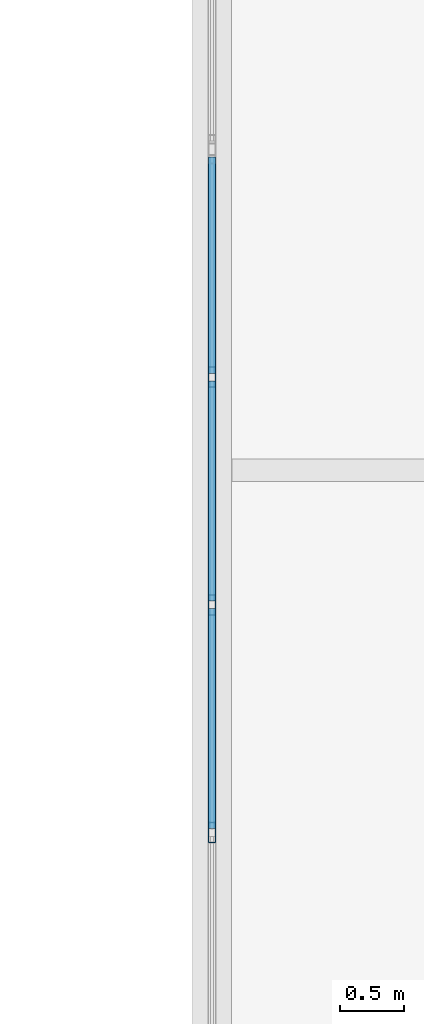
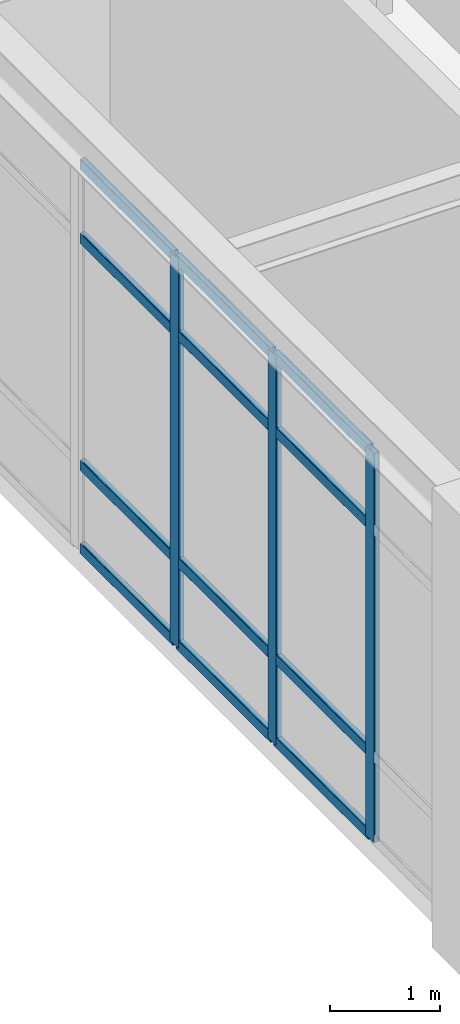
# One storey, part 24 of 96: 15 members, 1 element without a shape of its own.
"""IFC4 building model written with IfcOpenShell, lengths in metres."""

from ifc_helpers import new_model, si_unit, derived_unit, direction, frame, origin, origin_2d, place, context, subcontext, project, spatial, hollow_rectangle, extrude, material, layer, layer_set, material_profile, profile_set, type_object, element, aggregate, save


model = new_model("IFC4")

# Units and contexts
model_context = context("Model", 3, precision=1e-05, world=origin(), true_north=direction((0.0, 1.0)))
body_context = subcontext(model_context, "Body", "Model", "MODEL_VIEW")
ifc_project = project(units=[si_unit("LENGTHUNIT", "METRE"), si_unit("AREAUNIT", "SQUARE_METRE"), si_unit("VOLUMEUNIT", "CUBIC_METRE"), si_unit("PLANEANGLEUNIT", "RADIAN"), si_unit("MASSUNIT", "GRAM", prefix="KILO"), derived_unit("THERMALTRANSMITTANCEUNIT", [(si_unit("MASSUNIT", "GRAM", prefix="KILO"), 1), (si_unit("TIMEUNIT", "SECOND"), -3), (si_unit("THERMODYNAMICTEMPERATUREUNIT", "KELVIN"), -1)])], contexts=[model_context])

# Site, building, storey
site_placement = place(None, origin())
site = spatial("IfcSite", under=ifc_project, at=site_placement, CompositionType="ELEMENT")
building_placement = place(site_placement, origin())
building = spatial("IfcBuilding", under=site, at=building_placement, Name="Qinzheling Arcade Emporium", CompositionType="ELEMENT")
storey_placement = place(building_placement, frame((0.0, 0.0, 21.60009765625)))
storey = spatial("IfcBuildingStorey", under=building, at=storey_placement, Name="L05", CompositionType="ELEMENT", Elevation=21.60009765625)

# Curtain wall, members
ifc_material_1 = material(Name="Anodised aluminium and solar-control double glazing", Category="aluminium")
ifc_layer = layer(ifc_material_1, 0.159912109375, Name="Anodised aluminium and solar-control double glazing", Category="aluminium")
ifc_layer_set = layer_set([ifc_layer], Name="Anodised aluminium and solar-control double glazing")
curtain_wall_type = type_object("IfcCurtainWallType", Name="Atrium Clerestory Curtain Wall", PredefinedType="NOTDEFINED", material=ifc_layer_set)
curtain_wall_placement = place(storey_placement, origin())
curtain_wall = element("IfcCurtainWall", 1, at=curtain_wall_placement, inside=storey, type_object=curtain_wall_type, Name="Curtain Wall CW-L05-317", PredefinedType="NOTDEFINED")
ifc_material_2 = material(Name="Anodised aluminium 6063-T6", Category="aluminium")
ifc_material_profile_1 = material_profile(ifc_material_2, hollow_rectangle(XDim=0.06005859375, YDim=0.159912109375, WallThickness=0.00390625, InnerFilletRadius=0.00390625, OuterFilletRadius=0.008056640625, at=origin_2d()), Name="RHS 160x60x4", Category="aluminium")
ifc_profile_set_1 = profile_set([ifc_material_profile_1], Name="Anodised aluminium 6063-T6")
member_type_1 = type_object("IfcMemberType", Name="Curtain Wall Mullion RHS160x60", PredefinedType="MULLION", material=ifc_profile_set_1)
member_1_placement = place(storey_placement, frame((34.800048828125, 52.575927734375, 0.0), z_axis=(0.0, 0.0, 1.0), x_axis=(-1.0, 0.0, 0.0)))
member_1 = element("IfcMember", 2, at=member_1_placement, type_object=member_type_1, Name="CW03 mullion 2", PredefinedType="MULLION", context=body_context, shape_type="SweptSolid", body=[
    extrude(hollow_rectangle(XDim=0.06005859375, YDim=0.159912109375, WallThickness=0.00390625, InnerFilletRadius=0.00390625, OuterFilletRadius=0.008056640625, at=origin_2d()), origin(), (0.0, 0.0, 1.0), 4.31689453125),
])
member_2_placement = place(storey_placement, frame((34.800048828125, 54.35009765625, 0.0), z_axis=(0.0, 0.0, 1.0), x_axis=(-1.0, 0.0, 0.0)))
member_2 = element("IfcMember", 3, at=member_2_placement, type_object=member_type_1, Name="CW03 mullion 3", PredefinedType="MULLION", context=body_context, shape_type="SweptSolid", body=[
    extrude(hollow_rectangle(XDim=0.06005859375, YDim=0.159912109375, WallThickness=0.00390625, InnerFilletRadius=0.00390625, OuterFilletRadius=0.008056640625, at=origin_2d()), origin(), (0.0, 0.0, 1.0), 4.31689453125),
])
member_3_placement = place(storey_placement, frame((34.800048828125, 56.1240234375, 0.0), z_axis=(0.0, 0.0, 1.0), x_axis=(-1.0, 0.0, 0.0)))
member_3 = element("IfcMember", 4, at=member_3_placement, type_object=member_type_1, Name="CW03 mullion 4", PredefinedType="MULLION", context=body_context, shape_type="SweptSolid", body=[
    extrude(hollow_rectangle(XDim=0.06005859375, YDim=0.159912109375, WallThickness=0.00390625, InnerFilletRadius=0.00390625, OuterFilletRadius=0.008056640625, at=origin_2d()), origin(), (0.0, 0.0, 1.0), 4.31689453125),
])
ifc_material_profile_2 = material_profile(ifc_material_2, hollow_rectangle(XDim=0.06005859375, YDim=0.1201171875, WallThickness=0.00390625, InnerFilletRadius=0.00390625, OuterFilletRadius=0.008056640625, at=origin_2d()), Name="RHS 120x60x4", Category="aluminium")
ifc_profile_set_2 = profile_set([ifc_material_profile_2], Name="Anodised aluminium 6063-T6")
member_type_2 = type_object("IfcMemberType", Name="Curtain Wall Transom RHS120x60", PredefinedType="USERDEFINED", material=ifc_profile_set_2)
member_4_placement = place(storey_placement, frame((34.800048828125, 52.60595703125, 0.02978515625), z_axis=(0.0, 1.0, 0.0), x_axis=(-1.0, 0.0, 0.0)))
member_4 = element("IfcMember", 5, at=member_4_placement, type_object=member_type_2, Name="CW03 transom 2.1", ObjectType="TRANSOM", PredefinedType="USERDEFINED", context=body_context, shape_type="SweptSolid", body=[
    extrude(hollow_rectangle(XDim=0.06005859375, YDim=0.1201171875, WallThickness=0.00390625, InnerFilletRadius=0.00390625, OuterFilletRadius=0.008056640625, at=origin_2d()), origin(), (0.0, 0.0, 1.0), 1.714111328125),
])
member_5_placement = place(storey_placement, frame((34.800048828125, 52.60595703125, 0.949951171875), z_axis=(0.0, 1.0, 0.0), x_axis=(-1.0, 0.0, 0.0)))
member_5 = element("IfcMember", 6, at=member_5_placement, type_object=member_type_2, Name="CW03 transom 2.2", ObjectType="TRANSOM", PredefinedType="USERDEFINED", context=body_context, shape_type="SweptSolid", body=[
    extrude(hollow_rectangle(XDim=0.06005859375, YDim=0.1201171875, WallThickness=0.00390625, InnerFilletRadius=0.00390625, OuterFilletRadius=0.008056640625, at=origin_2d()), origin(), (0.0, 0.0, 1.0), 1.714111328125),
])
member_6_placement = place(storey_placement, frame((34.800048828125, 52.60595703125, 3.466796875), z_axis=(0.0, 1.0, 0.0), x_axis=(-1.0, 0.0, 0.0)))
member_6 = element("IfcMember", 7, at=member_6_placement, type_object=member_type_2, Name="CW03 transom 2.3", ObjectType="TRANSOM", PredefinedType="USERDEFINED", context=body_context, shape_type="SweptSolid", body=[
    extrude(hollow_rectangle(XDim=0.06005859375, YDim=0.1201171875, WallThickness=0.00390625, InnerFilletRadius=0.00390625, OuterFilletRadius=0.008056640625, at=origin_2d()), origin(), (0.0, 0.0, 1.0), 1.714111328125),
])
member_7_placement = place(storey_placement, frame((34.800048828125, 52.60595703125, 4.286865234375), z_axis=(0.0, 1.0, 0.0), x_axis=(-1.0, 0.0, 0.0)))
member_7 = element("IfcMember", 8, at=member_7_placement, type_object=member_type_2, Name="CW03 transom 2.4", ObjectType="TRANSOM", PredefinedType="USERDEFINED", context=body_context, shape_type="SweptSolid", body=[
    extrude(hollow_rectangle(XDim=0.06005859375, YDim=0.1201171875, WallThickness=0.00390625, InnerFilletRadius=0.00390625, OuterFilletRadius=0.008056640625, at=origin_2d()), origin(), (0.0, 0.0, 1.0), 1.714111328125),
])
member_8_placement = place(storey_placement, frame((34.800048828125, 54.3798828125, 0.02978515625), z_axis=(0.0, 1.0, 0.0), x_axis=(-1.0, 0.0, 0.0)))
member_8 = element("IfcMember", 9, at=member_8_placement, type_object=member_type_2, Name="CW03 transom 3.1", ObjectType="TRANSOM", PredefinedType="USERDEFINED", context=body_context, shape_type="SweptSolid", body=[
    extrude(hollow_rectangle(XDim=0.06005859375, YDim=0.1201171875, WallThickness=0.00390625, InnerFilletRadius=0.00390625, OuterFilletRadius=0.008056640625, at=origin_2d()), origin(), (0.0, 0.0, 1.0), 1.714111328125),
])
member_9_placement = place(storey_placement, frame((34.800048828125, 54.3798828125, 0.949951171875), z_axis=(0.0, 1.0, 0.0), x_axis=(-1.0, 0.0, 0.0)))
member_9 = element("IfcMember", 10, at=member_9_placement, type_object=member_type_2, Name="CW03 transom 3.2", ObjectType="TRANSOM", PredefinedType="USERDEFINED", context=body_context, shape_type="SweptSolid", body=[
    extrude(hollow_rectangle(XDim=0.06005859375, YDim=0.1201171875, WallThickness=0.00390625, InnerFilletRadius=0.00390625, OuterFilletRadius=0.008056640625, at=origin_2d()), origin(), (0.0, 0.0, 1.0), 1.714111328125),
])
member_10_placement = place(storey_placement, frame((34.800048828125, 54.3798828125, 3.466796875), z_axis=(0.0, 1.0, 0.0), x_axis=(-1.0, 0.0, 0.0)))
member_10 = element("IfcMember", 11, at=member_10_placement, type_object=member_type_2, Name="CW03 transom 3.3", ObjectType="TRANSOM", PredefinedType="USERDEFINED", context=body_context, shape_type="SweptSolid", body=[
    extrude(hollow_rectangle(XDim=0.06005859375, YDim=0.1201171875, WallThickness=0.00390625, InnerFilletRadius=0.00390625, OuterFilletRadius=0.008056640625, at=origin_2d()), origin(), (0.0, 0.0, 1.0), 1.714111328125),
])
member_11_placement = place(storey_placement, frame((34.800048828125, 54.3798828125, 4.286865234375), z_axis=(0.0, 1.0, 0.0), x_axis=(-1.0, 0.0, 0.0)))
member_11 = element("IfcMember", 12, at=member_11_placement, type_object=member_type_2, Name="CW03 transom 3.4", ObjectType="TRANSOM", PredefinedType="USERDEFINED", context=body_context, shape_type="SweptSolid", body=[
    extrude(hollow_rectangle(XDim=0.06005859375, YDim=0.1201171875, WallThickness=0.00390625, InnerFilletRadius=0.00390625, OuterFilletRadius=0.008056640625, at=origin_2d()), origin(), (0.0, 0.0, 1.0), 1.714111328125),
])
member_12_placement = place(storey_placement, frame((34.800048828125, 56.154052734375, 0.02978515625), z_axis=(0.0, 1.0, 0.0), x_axis=(-1.0, 0.0, 0.0)))
member_12 = element("IfcMember", 13, at=member_12_placement, type_object=member_type_2, Name="CW03 transom 4.1", ObjectType="TRANSOM", PredefinedType="USERDEFINED", context=body_context, shape_type="SweptSolid", body=[
    extrude(hollow_rectangle(XDim=0.06005859375, YDim=0.1201171875, WallThickness=0.00390625, InnerFilletRadius=0.00390625, OuterFilletRadius=0.008056640625, at=origin_2d()), origin(), (0.0, 0.0, 1.0), 1.683837890625),
])
member_13_placement = place(storey_placement, frame((34.800048828125, 56.154052734375, 0.949951171875), z_axis=(0.0, 1.0, 0.0), x_axis=(-1.0, 0.0, 0.0)))
member_13 = element("IfcMember", 14, at=member_13_placement, type_object=member_type_2, Name="CW03 transom 4.2", ObjectType="TRANSOM", PredefinedType="USERDEFINED", context=body_context, shape_type="SweptSolid", body=[
    extrude(hollow_rectangle(XDim=0.06005859375, YDim=0.1201171875, WallThickness=0.00390625, InnerFilletRadius=0.00390625, OuterFilletRadius=0.008056640625, at=origin_2d()), origin(), (0.0, 0.0, 1.0), 1.683837890625),
])
member_14_placement = place(storey_placement, frame((34.800048828125, 56.154052734375, 3.466796875), z_axis=(0.0, 1.0, 0.0), x_axis=(-1.0, 0.0, 0.0)))
member_14 = element("IfcMember", 15, at=member_14_placement, type_object=member_type_2, Name="CW03 transom 4.3", ObjectType="TRANSOM", PredefinedType="USERDEFINED", context=body_context, shape_type="SweptSolid", body=[
    extrude(hollow_rectangle(XDim=0.06005859375, YDim=0.1201171875, WallThickness=0.00390625, InnerFilletRadius=0.00390625, OuterFilletRadius=0.008056640625, at=origin_2d()), origin(), (0.0, 0.0, 1.0), 1.683837890625),
])
member_15_placement = place(storey_placement, frame((34.800048828125, 56.154052734375, 4.286865234375), z_axis=(0.0, 1.0, 0.0), x_axis=(-1.0, 0.0, 0.0)))
member_15 = element("IfcMember", 16, at=member_15_placement, type_object=member_type_2, Name="CW03 transom 4.4", ObjectType="TRANSOM", PredefinedType="USERDEFINED", context=body_context, shape_type="SweptSolid", body=[
    extrude(hollow_rectangle(XDim=0.06005859375, YDim=0.1201171875, WallThickness=0.00390625, InnerFilletRadius=0.00390625, OuterFilletRadius=0.008056640625, at=origin_2d()), origin(), (0.0, 0.0, 1.0), 1.683837890625),
])
aggregate(curtain_wall, [member_1, member_2, member_3, member_4, member_5, member_6, member_7, member_8, member_9, member_10, member_11, member_12, member_13, member_14, member_15])

save(model, "model.ifc")
